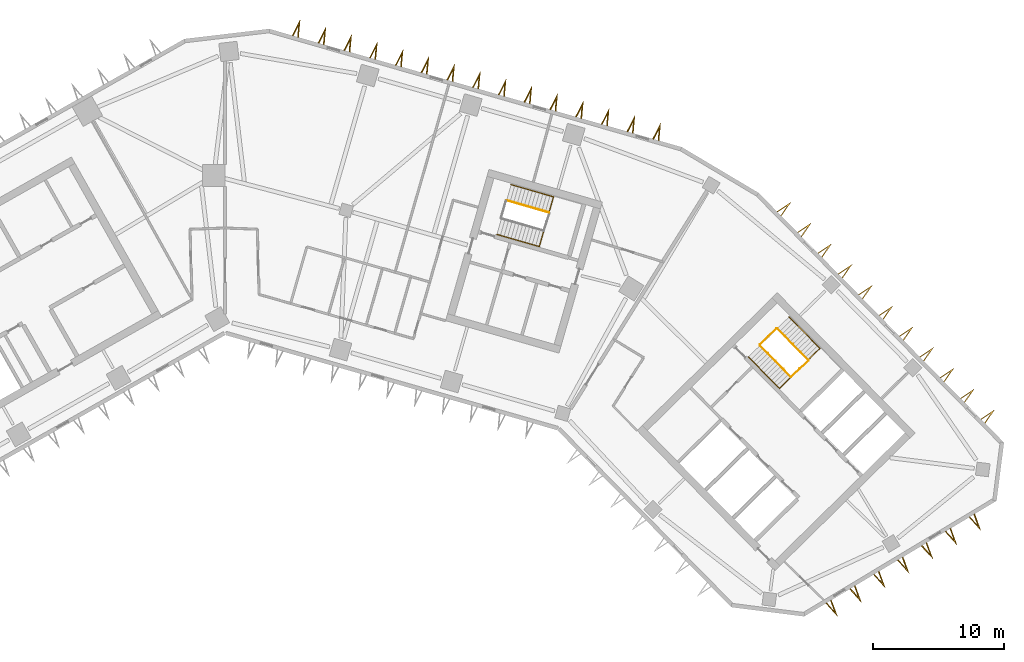
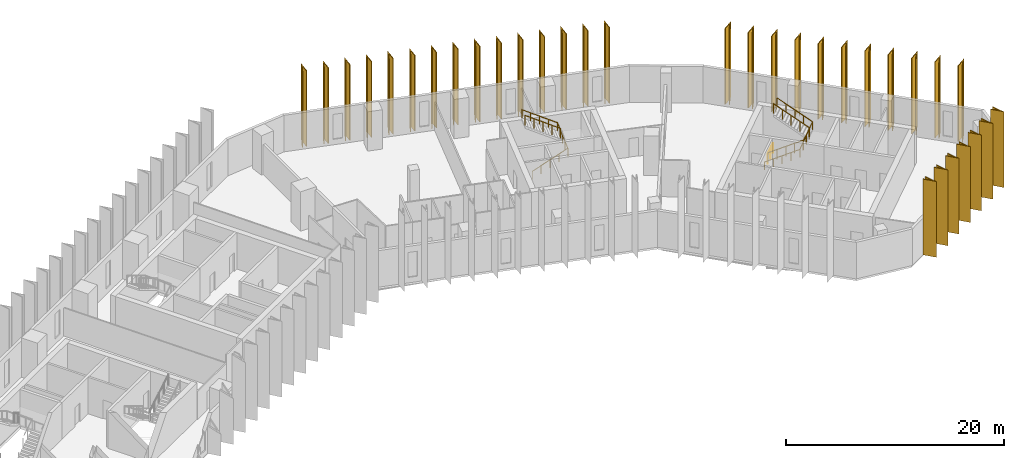
# One storey, part 11 of 11: 33 shading devices, 6 railings.
"""IFC4 building model written with IfcOpenShell, lengths in metres."""

from ifc_helpers import new_model, si_unit, direction, frame, origin, origin_2d, place, context, subcontext, project, spatial, polyline, circle, outline, extrude, material, type_object, element, save


model = new_model("IFC4")

# Units and contexts
model_context = context("Model", 3, precision=1e-05, world=origin(), true_north=direction((0.0, 1.0)))
body_context = subcontext(model_context, "Body", "Model", "MODEL_VIEW")
ifc_project = project(units=[si_unit("LENGTHUNIT", "METRE"), si_unit("AREAUNIT", "SQUARE_METRE"), si_unit("VOLUMEUNIT", "CUBIC_METRE"), si_unit("PLANEANGLEUNIT", "RADIAN"), si_unit("MASSUNIT", "GRAM", prefix="KILO")], contexts=[model_context])

# Site, building, storey
site_placement = place(None, origin())
site = spatial("IfcSite", under=ifc_project, at=site_placement, CompositionType="ELEMENT")
building_placement = place(site_placement, origin())
building = spatial("IfcBuilding", under=site, at=building_placement, Name="Binnacle Exchange Tower", CompositionType="ELEMENT")
storey_placement = place(building_placement, frame((0.0, 0.0, 97.10009765625)))
storey = spatial("IfcBuildingStorey", under=building, at=storey_placement, Name="L19", CompositionType="ELEMENT", Elevation=97.10009765625)

# Railings
ifc_material_1 = material(Name="Steel guard rail", Category="steel")
railing_type_1 = type_object("IfcRailingType", Name="STAIR GUARD 1100", PredefinedType="GUARDRAIL", material=ifc_material_1)
railing_1_placement = place(storey_placement, frame((40.822509765625, 47.046875, 0.169189453125)))
element("IfcRailing", 1, at=railing_1_placement, inside=storey, type_object=railing_type_1, Name="L19 STB1 stair guard 1", PredefinedType="GUARDRAIL", context=body_context, shape_type="SweptSolid", body=[
    extrude(circle(Radius=0.02392578125, at=origin_2d()), frame((0.0, 0.0, 1.076171875), z_axis=(0.599850224077, -0.610421915772, 0.51726665601), x_axis=(0.713256128111, 0.700903485305, 0.0)), (0.0, 0.0, 1.0), 3.926025390625),
    extrude(circle(Radius=0.02392578125, at=origin_2d()), frame((2.35498046875, -2.396484375, 3.10693359375), z_axis=(0.732527851538, 0.680737061369, 0.0), x_axis=(-0.680737061369, 0.732527851538, 0.0)), (0.0, 0.0, 1.0), 1.80078125),
    extrude(circle(Radius=0.02099609375, at=origin_2d()), origin(), (0.0, 0.0, 1.0), 1.052001953125),
    extrude(circle(Radius=0.02099609375, at=origin_2d()), frame((0.5888671875, -0.59912109375, 0.5078125)), (0.0, 0.0, 1.0), 1.052001953125),
    extrude(circle(Radius=0.02099609375, at=origin_2d()), frame((1.177490234375, -1.1982421875, 1.015380859375)), (0.0, 0.0, 1.0), 1.052001953125),
    extrude(circle(Radius=0.02099609375, at=origin_2d()), frame((1.76611328125, -1.79736328125, 1.52294921875)), (0.0, 0.0, 1.0), 1.052001953125),
    extrude(circle(Radius=0.02099609375, at=origin_2d()), frame((2.35498046875, -2.396484375, 2.03076171875)), (0.0, 0.0, 1.0), 1.052001953125),
    extrude(circle(Radius=0.02099609375, at=origin_2d()), frame((3.0146484375, -1.78369140625, 2.03076171875)), (0.0, 0.0, 1.0), 1.052001953125),
    extrude(circle(Radius=0.02099609375, at=origin_2d()), frame((3.674072265625, -1.170654296875, 2.03076171875)), (0.0, 0.0, 1.0), 1.052001953125),
])
railing_2_placement = place(storey_placement, frame((44.4970703125, 45.947021484375, 2.369140625)))
element("IfcRailing", 2, at=railing_2_placement, inside=storey, type_object=railing_type_1, Name="L19 STB1 stair guard 2", PredefinedType="GUARDRAIL", context=body_context, shape_type="SweptSolid", body=[
    extrude(circle(Radius=0.02392578125, at=origin_2d()), frame((0.0, 0.0, 1.076171875), z_axis=(-0.599850224077, 0.610421915772, 0.51726665601), x_axis=(-0.713256128111, -0.700903485305, 0.0)), (0.0, 0.0, 1.0), 3.926025390625),
    extrude(circle(Radius=0.02099609375, at=origin_2d()), origin(), (0.0, 0.0, 1.0), 1.052001953125),
    extrude(circle(Radius=0.02099609375, at=origin_2d()), frame((-0.5888671875, 0.59912109375, 0.5078125)), (0.0, 0.0, 1.0), 1.052001953125),
    extrude(circle(Radius=0.02099609375, at=origin_2d()), frame((-1.177490234375, 1.1982421875, 1.015380859375)), (0.0, 0.0, 1.0), 1.052001953125),
    extrude(circle(Radius=0.02099609375, at=origin_2d()), frame((-1.76611328125, 1.79736328125, 1.52294921875)), (0.0, 0.0, 1.0), 1.052001953125),
    extrude(circle(Radius=0.02099609375, at=origin_2d()), frame((-2.35498046875, 2.396484375, 2.03076171875)), (0.0, 0.0, 1.0), 1.052001953125),
])
railing_3_placement = place(storey_placement, frame((40.8232421875, 47.117431640625, 0.0)))
element("IfcRailing", 3, at=railing_3_placement, inside=storey, type_object=railing_type_1, Name="L19 STB1 stair guard 3", PredefinedType="GUARDRAIL", context=body_context, shape_type="SweptSolid", body=[
    extrude(circle(Radius=0.02392578125, at=origin_2d()), frame((0.0, 0.0, 1.076171875), z_axis=(0.713218950569, 0.700941316052, 0.0), x_axis=(-0.700941316052, 0.713218950569, 0.0)), (0.0, 0.0, 1.0), 1.75),
    extrude(circle(Radius=0.02099609375, at=origin_2d()), origin(), (0.0, 0.0, 1.0), 1.052001953125),
    extrude(circle(Radius=0.02099609375, at=origin_2d()), frame((0.6240234375, 0.61328125, 0.0)), (0.0, 0.0, 1.0), 1.052001953125),
    extrude(circle(Radius=0.02099609375, at=origin_2d()), frame((1.248046875, 1.2265625, 0.0)), (0.0, 0.0, 1.0), 1.052001953125),
])
railing_4_placement = place(storey_placement, frame((24.716064453125, 57.177978515625, 2.369140625)))
element("IfcRailing", 4, at=railing_4_placement, inside=storey, type_object=railing_type_1, Name="L19 STD1 stair guard 2", PredefinedType="GUARDRAIL", context=body_context, shape_type="SweptSolid", body=[
    extrude(circle(Radius=0.02392578125, at=origin_2d()), frame((0.0, 0.0, 1.076171875), z_axis=(-0.82266146106, 0.235934506256, 0.517264950721), x_axis=(-0.27568068152, -0.961249271436, 0.0)), (0.0, 0.0, 1.0), 3.926025390625),
    extrude(circle(Radius=0.02099609375, at=origin_2d()), origin(), (0.0, 0.0, 1.0), 1.052001953125),
    extrude(circle(Radius=0.02099609375, at=origin_2d()), frame((-0.807373046875, 0.2314453125, 0.5078125)), (0.0, 0.0, 1.0), 1.052001953125),
    extrude(circle(Radius=0.02099609375, at=origin_2d()), frame((-1.61474609375, 0.463134765625, 1.015380859375)), (0.0, 0.0, 1.0), 1.052001953125),
    extrude(circle(Radius=0.02099609375, at=origin_2d()), frame((-2.42236328125, 0.69482421875, 1.52294921875)), (0.0, 0.0, 1.0), 1.052001953125),
    extrude(circle(Radius=0.02099609375, at=origin_2d()), frame((-3.229736328125, 0.92626953125, 2.03076171875)), (0.0, 0.0, 1.0), 1.052001953125),
])
ifc_material_2 = material(Name="Steel handrail", Category="steel")
railing_type_2 = type_object("IfcRailingType", Name="STAIR HANDRAIL 900", PredefinedType="HANDRAIL", material=ifc_material_2)
railing_5_placement = place(storey_placement, frame((39.930908203125, 46.170654296875, 0.169189453125)))
element("IfcRailing", 5, at=railing_5_placement, inside=storey, type_object=railing_type_2, Name="L19 STB1 stair handrail 1", PredefinedType="HANDRAIL", context=body_context, shape_type="SweptSolid", body=[
    extrude(circle(Radius=0.02392578125, at=origin_2d()), frame((0.0, 0.0, 0.8759765625), z_axis=(0.599890032335, -0.610399145579, 0.51724736073), x_axis=(0.713219803244, 0.700940448441, 0.0)), (0.0, 0.0, 1.0), 3.926025390625),
    extrude(circle(Radius=0.02392578125, at=origin_2d()), frame((2.355224609375, -2.396484375, 2.90673828125), z_axis=(0.712714810107, 0.700376341566, 0.038866175905), x_axis=(-0.700905928746, 0.713253726978, 0.0)), (0.0, 0.0, 1.0), 4.35302734375),
    extrude(circle(Radius=0.02392578125, at=origin_2d()), frame((5.457763671875, 0.65234375, 3.07568359375), z_axis=(-0.599827453926, 0.610460928384, 0.517247020709), x_axis=(-0.713291821981, -0.70086716052, 0.0)), (0.0, 0.0, 1.0), 3.926025390625),
    extrude(circle(Radius=0.02099609375, at=origin_2d()), origin(), (0.0, 0.0, 1.0), 0.851806640625),
    extrude(circle(Radius=0.02099609375, at=origin_2d()), frame((0.5888671875, -0.59912109375, 0.5078125)), (0.0, 0.0, 1.0), 0.851806640625),
    extrude(circle(Radius=0.02099609375, at=origin_2d()), frame((1.177734375, -1.1982421875, 1.015380859375)), (0.0, 0.0, 1.0), 0.851806640625),
    extrude(circle(Radius=0.02099609375, at=origin_2d()), frame((1.766357421875, -1.79736328125, 1.52294921875)), (0.0, 0.0, 1.0), 0.851806640625),
    extrude(circle(Radius=0.02099609375, at=origin_2d()), frame((2.355224609375, -2.396484375, 2.03076171875)), (0.0, 0.0, 1.0), 0.851806640625),
    extrude(circle(Radius=0.02099609375, at=origin_2d()), frame((3.130859375, -1.63427734375, 2.072998046875)), (0.0, 0.0, 1.0), 0.851806640625),
    extrude(circle(Radius=0.02099609375, at=origin_2d()), frame((3.906494140625, -0.8720703125, 2.115234375)), (0.0, 0.0, 1.0), 0.851806640625),
    extrude(circle(Radius=0.02099609375, at=origin_2d()), frame((4.68212890625, -0.10986328125, 2.15771484375)), (0.0, 0.0, 1.0), 0.851806640625),
    extrude(circle(Radius=0.02099609375, at=origin_2d()), frame((5.457763671875, 0.65234375, 2.199951171875)), (0.0, 0.0, 1.0), 0.851806640625),
    extrude(circle(Radius=0.02099609375, at=origin_2d()), frame((4.869140625, 1.25146484375, 2.70751953125)), (0.0, 0.0, 1.0), 0.851806640625),
    extrude(circle(Radius=0.02099609375, at=origin_2d()), frame((4.2802734375, 1.8505859375, 3.21533203125)), (0.0, 0.0, 1.0), 0.851806640625),
    extrude(circle(Radius=0.02099609375, at=origin_2d()), frame((3.69140625, 2.449951171875, 3.72314453125)), (0.0, 0.0, 1.0), 0.851806640625),
    extrude(circle(Radius=0.02099609375, at=origin_2d()), frame((3.102783203125, 3.049072265625, 4.230712890625)), (0.0, 0.0, 1.0), 0.851806640625),
])
railing_6_placement = place(storey_placement, frame((20.7421875, 55.5087890625, 0.169189453125)))
element("IfcRailing", 6, at=railing_6_placement, inside=storey, type_object=railing_type_2, Name="L19 STD1 stair handrail 1", PredefinedType="HANDRAIL", context=body_context, shape_type="SweptSolid", body=[
    extrude(circle(Radius=0.02392578125, at=origin_2d()), frame((0.0, 0.0, 0.8759765625), z_axis=(0.82266146106, -0.235934506256, 0.517264950721), x_axis=(0.27568068152, 0.961249271436, 0.0)), (0.0, 0.0, 1.0), 3.926025390625),
    extrude(circle(Radius=0.02392578125, at=origin_2d()), frame((3.229736328125, -0.92626953125, 2.90673828125), z_axis=(0.275399082883, 0.960377115711, 0.042791830591), x_axis=(-0.961257617982, 0.275651576943, 0.0)), (0.0, 0.0, 1.0), 3.953857421875),
    extrude(circle(Radius=0.02392578125, at=origin_2d()), frame((4.318603515625, 2.870849609375, 3.07568359375), z_axis=(-0.822693627572, 0.235863713483, 0.517246076655), x_axis=(-0.275594289407, -0.961274043989, 0.0)), (0.0, 0.0, 1.0), 3.926025390625),
    extrude(circle(Radius=0.02099609375, at=origin_2d()), origin(), (0.0, 0.0, 1.0), 0.851806640625),
    extrude(circle(Radius=0.02099609375, at=origin_2d()), frame((0.807373046875, -0.2314453125, 0.5078125)), (0.0, 0.0, 1.0), 0.851806640625),
    extrude(circle(Radius=0.02099609375, at=origin_2d()), frame((1.61474609375, -0.463134765625, 1.015380859375)), (0.0, 0.0, 1.0), 0.851806640625),
    extrude(circle(Radius=0.02099609375, at=origin_2d()), frame((2.42236328125, -0.69482421875, 1.52294921875)), (0.0, 0.0, 1.0), 0.851806640625),
    extrude(circle(Radius=0.02099609375, at=origin_2d()), frame((3.229736328125, -0.92626953125, 2.03076171875)), (0.0, 0.0, 1.0), 0.851806640625),
    extrude(circle(Radius=0.02099609375, at=origin_2d()), frame((3.501953125, 0.02294921875, 2.072998046875)), (0.0, 0.0, 1.0), 0.851806640625),
    extrude(circle(Radius=0.02099609375, at=origin_2d()), frame((3.774169921875, 0.97216796875, 2.115234375)), (0.0, 0.0, 1.0), 0.851806640625),
    extrude(circle(Radius=0.02099609375, at=origin_2d()), frame((4.04638671875, 1.921630859375, 2.15771484375)), (0.0, 0.0, 1.0), 0.851806640625),
    extrude(circle(Radius=0.02099609375, at=origin_2d()), frame((4.318603515625, 2.870849609375, 2.199951171875)), (0.0, 0.0, 1.0), 0.851806640625),
    extrude(circle(Radius=0.02099609375, at=origin_2d()), frame((3.51123046875, 3.102294921875, 2.70751953125)), (0.0, 0.0, 1.0), 0.851806640625),
    extrude(circle(Radius=0.02099609375, at=origin_2d()), frame((2.70361328125, 3.333984375, 3.21533203125)), (0.0, 0.0, 1.0), 0.851806640625),
    extrude(circle(Radius=0.02099609375, at=origin_2d()), frame((1.89599609375, 3.5654296875, 3.72314453125)), (0.0, 0.0, 1.0), 0.851806640625),
    extrude(circle(Radius=0.02099609375, at=origin_2d()), frame((1.088623046875, 3.796875, 4.230712890625)), (0.0, 0.0, 1.0), 0.851806640625),
])

# Shading devices
ifc_material_3 = material(Name="Bronze aluminium cladding", Category="aluminium")
shading_device_type = type_object("IfcShadingDeviceType", Name="V FIN 1300 DEEP x 8480 HIGH", PredefinedType="USERDEFINED", material=ifc_material_3)
shading_device_1_placement = place(storey_placement, origin())
element("IfcShadingDevice", 7, at=shading_device_1_placement, inside=storey, type_object=shading_device_type, Name="V fin FN-F01-01 L19", ObjectType="FIN", PredefinedType="USERDEFINED", context=body_context, shape_type="SweptSolid", body=[
    extrude(outline(polyline([(33.107421875, 62.66259765625), (33.225341796875, 63.981201171875), (32.626708984375, 62.800537109375), (32.705078125, 62.778076171875), (33.108642578125, 63.573974609375), (33.029052734375, 62.68505859375), (33.107421875, 62.66259765625)])), origin(), (0.0, 0.0, 1.0), 8.47998046875),
])
shading_device_2_placement = place(storey_placement, origin())
element("IfcShadingDevice", 8, at=shading_device_2_placement, inside=storey, type_object=shading_device_type, Name="V fin FN-F01-02 L19", ObjectType="FIN", PredefinedType="USERDEFINED", context=body_context, shape_type="SweptSolid", body=[
    extrude(outline(polyline([(31.143310546875, 63.225830078125), (31.26123046875, 64.54443359375), (30.66259765625, 63.36376953125), (30.740966796875, 63.34130859375), (31.14453125, 64.13720703125), (31.06494140625, 63.248291015625), (31.143310546875, 63.225830078125)])), origin(), (0.0, 0.0, 1.0), 8.47998046875),
])
shading_device_3_placement = place(storey_placement, origin())
element("IfcShadingDevice", 9, at=shading_device_3_placement, inside=storey, type_object=shading_device_type, Name="V fin FN-F01-03 L19", ObjectType="FIN", PredefinedType="USERDEFINED", context=body_context, shape_type="SweptSolid", body=[
    extrude(outline(polyline([(29.17919921875, 63.7890625), (29.297119140625, 65.107666015625), (28.698486328125, 63.927001953125), (28.77685546875, 63.904541015625), (29.180419921875, 64.700439453125), (29.100830078125, 63.8115234375), (29.17919921875, 63.7890625)])), origin(), (0.0, 0.0, 1.0), 8.47998046875),
])
shading_device_4_placement = place(storey_placement, origin())
element("IfcShadingDevice", 10, at=shading_device_4_placement, inside=storey, type_object=shading_device_type, Name="V fin FN-F01-04 L19", ObjectType="FIN", PredefinedType="USERDEFINED", context=body_context, shape_type="SweptSolid", body=[
    extrude(outline(polyline([(27.215087890625, 64.352294921875), (27.3330078125, 65.6708984375), (26.734619140625, 64.489990234375), (26.812744140625, 64.4677734375), (27.21630859375, 65.263671875), (27.13671875, 64.374755859375), (27.215087890625, 64.352294921875)])), origin(), (0.0, 0.0, 1.0), 8.47998046875),
])
shading_device_5_placement = place(storey_placement, origin())
element("IfcShadingDevice", 11, at=shading_device_5_placement, inside=storey, type_object=shading_device_type, Name="V fin FN-F01-05 L19", ObjectType="FIN", PredefinedType="USERDEFINED", context=body_context, shape_type="SweptSolid", body=[
    extrude(outline(polyline([(25.2509765625, 64.91552734375), (25.368896484375, 66.23388671875), (24.7705078125, 65.05322265625), (24.8486328125, 65.031005859375), (25.252197265625, 65.826904296875), (25.172607421875, 64.93798828125), (25.2509765625, 64.91552734375)])), origin(), (0.0, 0.0, 1.0), 8.47998046875),
])
shading_device_6_placement = place(storey_placement, origin())
element("IfcShadingDevice", 12, at=shading_device_6_placement, inside=storey, type_object=shading_device_type, Name="V fin FN-F01-06 L19", ObjectType="FIN", PredefinedType="USERDEFINED", context=body_context, shape_type="SweptSolid", body=[
    extrude(outline(polyline([(23.287109375, 65.478515625), (23.405029296875, 66.797119140625), (22.806396484375, 65.616455078125), (22.884765625, 65.593994140625), (23.288330078125, 66.389892578125), (23.208740234375, 65.5009765625), (23.287109375, 65.478515625)])), origin(), (0.0, 0.0, 1.0), 8.47998046875),
])
shading_device_7_placement = place(storey_placement, origin())
element("IfcShadingDevice", 13, at=shading_device_7_placement, inside=storey, type_object=shading_device_type, Name="V fin FN-F01-07 L19", ObjectType="FIN", PredefinedType="USERDEFINED", context=body_context, shape_type="SweptSolid", body=[
    extrude(outline(polyline([(21.32275390625, 66.041748046875), (21.44091796875, 67.3603515625), (20.84228515625, 66.1796875), (20.92041015625, 66.1572265625), (21.32421875, 66.953125), (21.244384765625, 66.064208984375), (21.32275390625, 66.041748046875)])), origin(), (0.0, 0.0, 1.0), 8.47998046875),
])
shading_device_8_placement = place(storey_placement, origin())
element("IfcShadingDevice", 14, at=shading_device_8_placement, inside=storey, type_object=shading_device_type, Name="V fin FN-F01-08 L19", ObjectType="FIN", PredefinedType="USERDEFINED", context=body_context, shape_type="SweptSolid", body=[
    extrude(outline(polyline([(19.35888671875, 66.60498046875), (19.476806640625, 67.923583984375), (18.878173828125, 66.742919921875), (18.95654296875, 66.720458984375), (19.360107421875, 67.516357421875), (19.280517578125, 66.62744140625), (19.35888671875, 66.60498046875)])), origin(), (0.0, 0.0, 1.0), 8.47998046875),
])
shading_device_9_placement = place(storey_placement, origin())
element("IfcShadingDevice", 15, at=shading_device_9_placement, inside=storey, type_object=shading_device_type, Name="V fin FN-F01-09 L19", ObjectType="FIN", PredefinedType="USERDEFINED", context=body_context, shape_type="SweptSolid", body=[
    extrude(outline(polyline([(17.394775390625, 67.168212890625), (17.5126953125, 68.48681640625), (16.9140625, 67.305908203125), (16.992431640625, 67.28369140625), (17.39599609375, 68.07958984375), (17.31640625, 67.190673828125), (17.394775390625, 67.168212890625)])), origin(), (0.0, 0.0, 1.0), 8.47998046875),
])
shading_device_10_placement = place(storey_placement, origin())
element("IfcShadingDevice", 16, at=shading_device_10_placement, inside=storey, type_object=shading_device_type, Name="V fin FN-F01-10 L19", ObjectType="FIN", PredefinedType="USERDEFINED", context=body_context, shape_type="SweptSolid", body=[
    extrude(outline(polyline([(15.4306640625, 67.7314453125), (15.548583984375, 69.0498046875), (14.949951171875, 67.869140625), (15.0283203125, 67.8466796875), (15.431884765625, 68.642578125), (15.352294921875, 67.75390625), (15.4306640625, 67.7314453125)])), origin(), (0.0, 0.0, 1.0), 8.47998046875),
])
shading_device_11_placement = place(storey_placement, origin())
element("IfcShadingDevice", 17, at=shading_device_11_placement, inside=storey, type_object=shading_device_type, Name="V fin FN-F01-11 L19", ObjectType="FIN", PredefinedType="USERDEFINED", context=body_context, shape_type="SweptSolid", body=[
    extrude(outline(polyline([(13.466552734375, 68.294677734375), (13.58447265625, 69.613037109375), (12.98583984375, 68.432373046875), (13.064208984375, 68.409912109375), (13.4677734375, 69.205810546875), (13.38818359375, 68.31689453125), (13.466552734375, 68.294677734375)])), origin(), (0.0, 0.0, 1.0), 8.47998046875),
])
shading_device_12_placement = place(storey_placement, origin())
element("IfcShadingDevice", 18, at=shading_device_12_placement, inside=storey, type_object=shading_device_type, Name="V fin FN-F01-12 L19", ObjectType="FIN", PredefinedType="USERDEFINED", context=body_context, shape_type="SweptSolid", body=[
    extrude(outline(polyline([(11.50244140625, 68.85791015625), (11.620361328125, 70.17626953125), (11.021728515625, 68.99560546875), (11.10009765625, 68.97314453125), (11.503662109375, 69.76904296875), (11.424072265625, 68.880126953125), (11.50244140625, 68.85791015625)])), origin(), (0.0, 0.0, 1.0), 8.47998046875),
])
shading_device_13_placement = place(storey_placement, origin())
element("IfcShadingDevice", 19, at=shading_device_13_placement, inside=storey, type_object=shading_device_type, Name="V fin FN-F01-13 L19", ObjectType="FIN", PredefinedType="USERDEFINED", context=body_context, shape_type="SweptSolid", body=[
    extrude(outline(polyline([(9.538330078125, 69.4208984375), (9.65625, 70.739501953125), (9.0576171875, 69.558837890625), (9.135986328125, 69.536376953125), (9.53955078125, 70.332275390625), (9.4599609375, 69.443359375), (9.538330078125, 69.4208984375)])), origin(), (0.0, 0.0, 1.0), 8.47998046875),
])
shading_device_14_placement = place(storey_placement, origin())
element("IfcShadingDevice", 20, at=shading_device_14_placement, inside=storey, type_object=shading_device_type, Name="V fin FN-F01-14 L19", ObjectType="FIN", PredefinedType="USERDEFINED", context=body_context, shape_type="SweptSolid", body=[
    extrude(outline(polyline([(7.57421875, 69.984130859375), (7.6923828125, 71.302734375), (7.09375, 70.1220703125), (7.172119140625, 70.099609375), (7.57568359375, 70.8955078125), (7.49609375, 70.006591796875), (7.57421875, 69.984130859375)])), origin(), (0.0, 0.0, 1.0), 8.47998046875),
])
shading_device_15_placement = place(storey_placement, origin())
element("IfcShadingDevice", 21, at=shading_device_15_placement, inside=storey, type_object=shading_device_type, Name="V fin FN-F01-15 L19", ObjectType="FIN", PredefinedType="USERDEFINED", context=body_context, shape_type="SweptSolid", body=[
    extrude(outline(polyline([(5.610107421875, 70.54736328125), (5.72802734375, 71.865966796875), (5.12939453125, 70.685302734375), (5.207763671875, 70.662841796875), (5.611328125, 71.458740234375), (5.53173828125, 70.56982421875), (5.610107421875, 70.54736328125)])), origin(), (0.0, 0.0, 1.0), 8.47998046875),
])
shading_device_16_placement = place(storey_placement, origin())
element("IfcShadingDevice", 22, at=shading_device_16_placement, inside=storey, type_object=shading_device_type, Name="V fin FN-F11-01 L19", ObjectType="FIN", PredefinedType="USERDEFINED", context=body_context, shape_type="SweptSolid", body=[
    extrude(outline(polyline([(45.82861328125, 27.361572265625), (46.71240234375, 26.376220703125), (46.257080078125, 27.619140625), (46.187255859375, 27.5771484375), (46.494140625, 26.7392578125), (45.898193359375, 27.403564453125), (45.82861328125, 27.361572265625)])), origin(), (0.0, 0.0, 1.0), 8.47998046875),
])
shading_device_17_placement = place(storey_placement, origin())
element("IfcShadingDevice", 23, at=shading_device_17_placement, inside=storey, type_object=shading_device_type, Name="V fin FN-F11-02 L19", ObjectType="FIN", PredefinedType="USERDEFINED", context=body_context, shape_type="SweptSolid", body=[
    extrude(outline(polyline([(47.64990234375, 28.4560546875), (48.53369140625, 27.470458984375), (48.07861328125, 28.713623046875), (48.0087890625, 28.671630859375), (48.315673828125, 27.83349609375), (47.7197265625, 28.498046875), (47.64990234375, 28.4560546875)])), origin(), (0.0, 0.0, 1.0), 8.47998046875),
])
shading_device_18_placement = place(storey_placement, origin())
element("IfcShadingDevice", 24, at=shading_device_18_placement, inside=storey, type_object=shading_device_type, Name="V fin FN-F11-03 L19", ObjectType="FIN", PredefinedType="USERDEFINED", context=body_context, shape_type="SweptSolid", body=[
    extrude(outline(polyline([(49.471435546875, 29.550537109375), (50.355224609375, 28.56494140625), (49.900146484375, 29.80810546875), (49.830322265625, 29.76611328125), (50.13720703125, 28.927978515625), (49.541259765625, 29.592529296875), (49.471435546875, 29.550537109375)])), origin(), (0.0, 0.0, 1.0), 8.47998046875),
])
shading_device_19_placement = place(storey_placement, origin())
element("IfcShadingDevice", 25, at=shading_device_19_placement, inside=storey, type_object=shading_device_type, Name="V fin FN-F11-04 L19", ObjectType="FIN", PredefinedType="USERDEFINED", context=body_context, shape_type="SweptSolid", body=[
    extrude(outline(polyline([(51.29296875, 30.64501953125), (52.1767578125, 29.659423828125), (51.7216796875, 30.902587890625), (51.65185546875, 30.860595703125), (51.958740234375, 30.0224609375), (51.36279296875, 30.68701171875), (51.29296875, 30.64501953125)])), origin(), (0.0, 0.0, 1.0), 8.47998046875),
])
shading_device_20_placement = place(storey_placement, origin())
element("IfcShadingDevice", 26, at=shading_device_20_placement, inside=storey, type_object=shading_device_type, Name="V fin FN-F11-05 L19", ObjectType="FIN", PredefinedType="USERDEFINED", context=body_context, shape_type="SweptSolid", body=[
    extrude(outline(polyline([(53.114501953125, 31.739501953125), (53.998291015625, 30.75390625), (53.543212890625, 31.9970703125), (53.473388671875, 31.955078125), (53.7802734375, 31.116943359375), (53.184326171875, 31.781494140625), (53.114501953125, 31.739501953125)])), origin(), (0.0, 0.0, 1.0), 8.47998046875),
])
shading_device_21_placement = place(storey_placement, origin())
element("IfcShadingDevice", 27, at=shading_device_21_placement, inside=storey, type_object=shading_device_type, Name="V fin FN-F11-06 L19", ObjectType="FIN", PredefinedType="USERDEFINED", context=body_context, shape_type="SweptSolid", body=[
    extrude(outline(polyline([(54.935791015625, 32.833984375), (55.819580078125, 31.848388671875), (55.364501953125, 33.091552734375), (55.294677734375, 33.049560546875), (55.6015625, 32.21142578125), (55.005615234375, 32.8759765625), (54.935791015625, 32.833984375)])), origin(), (0.0, 0.0, 1.0), 8.47998046875),
])
shading_device_22_placement = place(storey_placement, origin())
element("IfcShadingDevice", 28, at=shading_device_22_placement, inside=storey, type_object=shading_device_type, Name="V fin FN-F11-07 L19", ObjectType="FIN", PredefinedType="USERDEFINED", context=body_context, shape_type="SweptSolid", body=[
    extrude(outline(polyline([(56.75732421875, 33.92822265625), (57.64111328125, 32.94287109375), (57.18603515625, 34.185791015625), (57.1162109375, 34.143798828125), (57.423095703125, 33.305908203125), (56.8271484375, 33.97021484375), (56.75732421875, 33.92822265625)])), origin(), (0.0, 0.0, 1.0), 8.47998046875),
])
shading_device_23_placement = place(storey_placement, origin())
element("IfcShadingDevice", 29, at=shading_device_23_placement, inside=storey, type_object=shading_device_type, Name="V fin FN-F13-01 L19", ObjectType="FIN", PredefinedType="USERDEFINED", context=body_context, shape_type="SweptSolid", body=[
    extrude(outline(polyline([(57.990478515625, 41.087890625), (58.742431640625, 42.177490234375), (57.64013671875, 41.444580078125), (57.697265625, 41.386474609375), (58.4404296875, 41.880615234375), (57.933349609375, 41.14599609375), (57.990478515625, 41.087890625)])), origin(), (0.0, 0.0, 1.0), 8.47998046875),
])
shading_device_24_placement = place(storey_placement, origin())
element("IfcShadingDevice", 30, at=shading_device_24_placement, inside=storey, type_object=shading_device_type, Name="V fin FN-F13-02 L19", ObjectType="FIN", PredefinedType="USERDEFINED", context=body_context, shape_type="SweptSolid", body=[
    extrude(outline(polyline([(56.435791015625, 42.669921875), (57.18798828125, 43.759521484375), (56.08544921875, 43.026611328125), (56.142578125, 42.968505859375), (56.8857421875, 43.46240234375), (56.37890625, 42.72802734375), (56.435791015625, 42.669921875)])), origin(), (0.0, 0.0, 1.0), 8.47998046875),
])
shading_device_25_placement = place(storey_placement, origin())
element("IfcShadingDevice", 31, at=shading_device_25_placement, inside=storey, type_object=shading_device_type, Name="V fin FN-F13-03 L19", ObjectType="FIN", PredefinedType="USERDEFINED", context=body_context, shape_type="SweptSolid", body=[
    extrude(outline(polyline([(54.881103515625, 44.251953125), (55.63330078125, 45.34130859375), (54.53076171875, 44.6083984375), (54.587890625, 44.55029296875), (55.3310546875, 45.04443359375), (54.82421875, 44.31005859375), (54.881103515625, 44.251953125)])), origin(), (0.0, 0.0, 1.0), 8.47998046875),
])
shading_device_26_placement = place(storey_placement, origin())
element("IfcShadingDevice", 32, at=shading_device_26_placement, inside=storey, type_object=shading_device_type, Name="V fin FN-F13-04 L19", ObjectType="FIN", PredefinedType="USERDEFINED", context=body_context, shape_type="SweptSolid", body=[
    extrude(outline(polyline([(53.32666015625, 45.833984375), (54.07861328125, 46.92333984375), (52.976318359375, 46.1904296875), (53.033203125, 46.13232421875), (53.776611328125, 46.62646484375), (53.26953125, 45.89208984375), (53.32666015625, 45.833984375)])), origin(), (0.0, 0.0, 1.0), 8.47998046875),
])
shading_device_27_placement = place(storey_placement, origin())
element("IfcShadingDevice", 33, at=shading_device_27_placement, inside=storey, type_object=shading_device_type, Name="V fin FN-F13-05 L19", ObjectType="FIN", PredefinedType="USERDEFINED", context=body_context, shape_type="SweptSolid", body=[
    extrude(outline(polyline([(51.77197265625, 47.416015625), (52.52392578125, 48.50537109375), (51.421630859375, 47.7724609375), (51.478759765625, 47.71435546875), (52.221923828125, 48.20849609375), (51.71484375, 47.47412109375), (51.77197265625, 47.416015625)])), origin(), (0.0, 0.0, 1.0), 8.47998046875),
])
shading_device_28_placement = place(storey_placement, origin())
element("IfcShadingDevice", 34, at=shading_device_28_placement, inside=storey, type_object=shading_device_type, Name="V fin FN-F13-06 L19", ObjectType="FIN", PredefinedType="USERDEFINED", context=body_context, shape_type="SweptSolid", body=[
    extrude(outline(polyline([(50.21728515625, 48.997802734375), (50.969482421875, 50.08740234375), (49.866943359375, 49.3544921875), (49.924072265625, 49.29638671875), (50.667236328125, 49.79052734375), (50.160400390625, 49.055908203125), (50.21728515625, 48.997802734375)])), origin(), (0.0, 0.0, 1.0), 8.47998046875),
])
shading_device_29_placement = place(storey_placement, origin())
element("IfcShadingDevice", 35, at=shading_device_29_placement, inside=storey, type_object=shading_device_type, Name="V fin FN-F13-07 L19", ObjectType="FIN", PredefinedType="USERDEFINED", context=body_context, shape_type="SweptSolid", body=[
    extrude(outline(polyline([(48.66259765625, 50.579833984375), (49.414794921875, 51.66943359375), (48.312255859375, 50.9365234375), (48.369384765625, 50.87841796875), (49.112548828125, 51.37255859375), (48.605712890625, 50.637939453125), (48.66259765625, 50.579833984375)])), origin(), (0.0, 0.0, 1.0), 8.47998046875),
])
shading_device_30_placement = place(storey_placement, origin())
element("IfcShadingDevice", 36, at=shading_device_30_placement, inside=storey, type_object=shading_device_type, Name="V fin FN-F13-08 L19", ObjectType="FIN", PredefinedType="USERDEFINED", context=body_context, shape_type="SweptSolid", body=[
    extrude(outline(polyline([(47.108154296875, 52.161865234375), (47.860107421875, 53.25146484375), (46.7578125, 52.5185546875), (46.814697265625, 52.46044921875), (47.55810546875, 52.95458984375), (47.051025390625, 52.219970703125), (47.108154296875, 52.161865234375)])), origin(), (0.0, 0.0, 1.0), 8.47998046875),
])
shading_device_31_placement = place(storey_placement, origin())
element("IfcShadingDevice", 37, at=shading_device_31_placement, inside=storey, type_object=shading_device_type, Name="V fin FN-F13-09 L19", ObjectType="FIN", PredefinedType="USERDEFINED", context=body_context, shape_type="SweptSolid", body=[
    extrude(outline(polyline([(45.553466796875, 53.743896484375), (46.305419921875, 54.83349609375), (45.203125, 54.1005859375), (45.26025390625, 54.04248046875), (46.00341796875, 54.53662109375), (45.496337890625, 53.802001953125), (45.553466796875, 53.743896484375)])), origin(), (0.0, 0.0, 1.0), 8.47998046875),
])
shading_device_32_placement = place(storey_placement, origin())
element("IfcShadingDevice", 38, at=shading_device_32_placement, inside=storey, type_object=shading_device_type, Name="V fin FN-F13-10 L19", ObjectType="FIN", PredefinedType="USERDEFINED", context=body_context, shape_type="SweptSolid", body=[
    extrude(outline(polyline([(43.998779296875, 55.325927734375), (44.7509765625, 56.415283203125), (43.6484375, 55.6826171875), (43.70556640625, 55.62451171875), (44.44873046875, 56.118408203125), (43.94189453125, 55.384033203125), (43.998779296875, 55.325927734375)])), origin(), (0.0, 0.0, 1.0), 8.47998046875),
])
shading_device_33_placement = place(storey_placement, origin())
element("IfcShadingDevice", 39, at=shading_device_33_placement, inside=storey, type_object=shading_device_type, Name="V fin FN-F13-11 L19", ObjectType="FIN", PredefinedType="USERDEFINED", context=body_context, shape_type="SweptSolid", body=[
    extrude(outline(polyline([(42.444091796875, 56.907958984375), (43.1962890625, 57.997314453125), (42.09375, 57.264404296875), (42.15087890625, 57.206298828125), (42.89404296875, 57.700439453125), (42.38720703125, 56.966064453125), (42.444091796875, 56.907958984375)])), origin(), (0.0, 0.0, 1.0), 8.47998046875),
])

save(model, "model.ifc")
